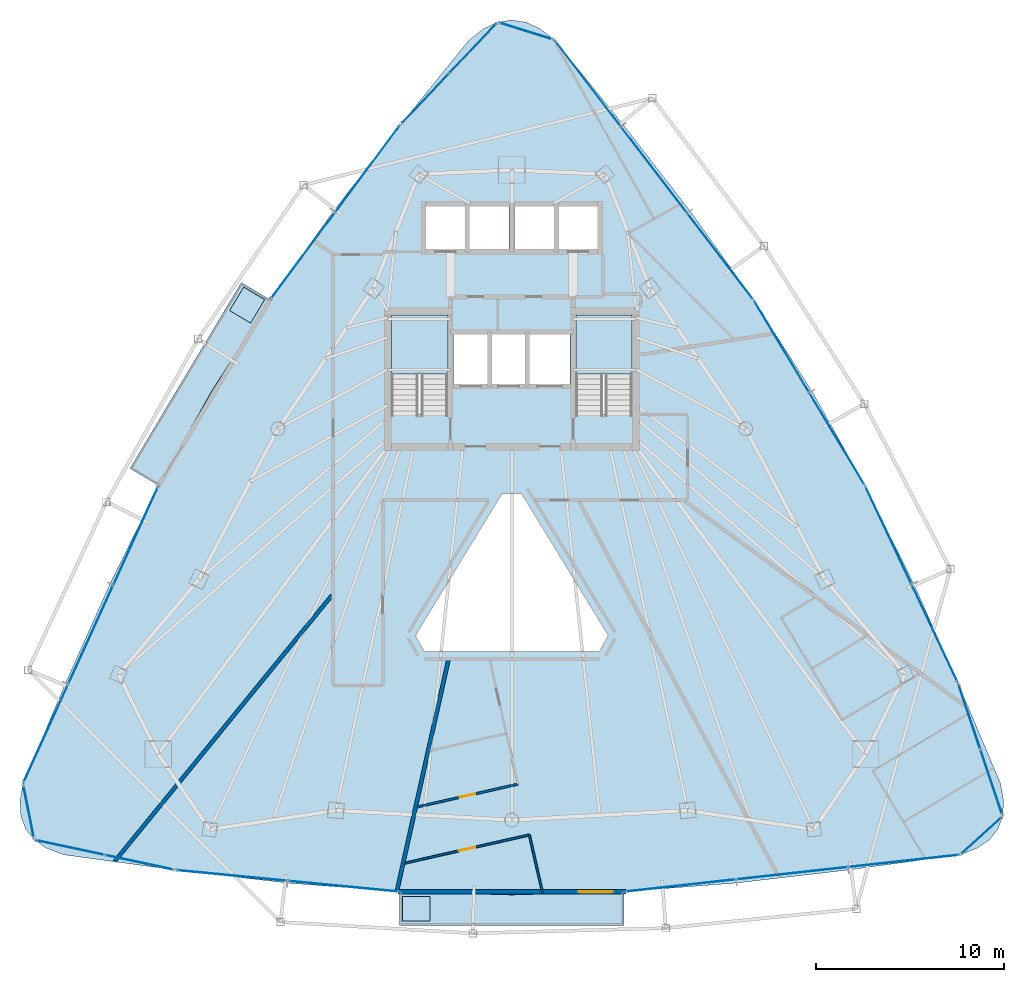
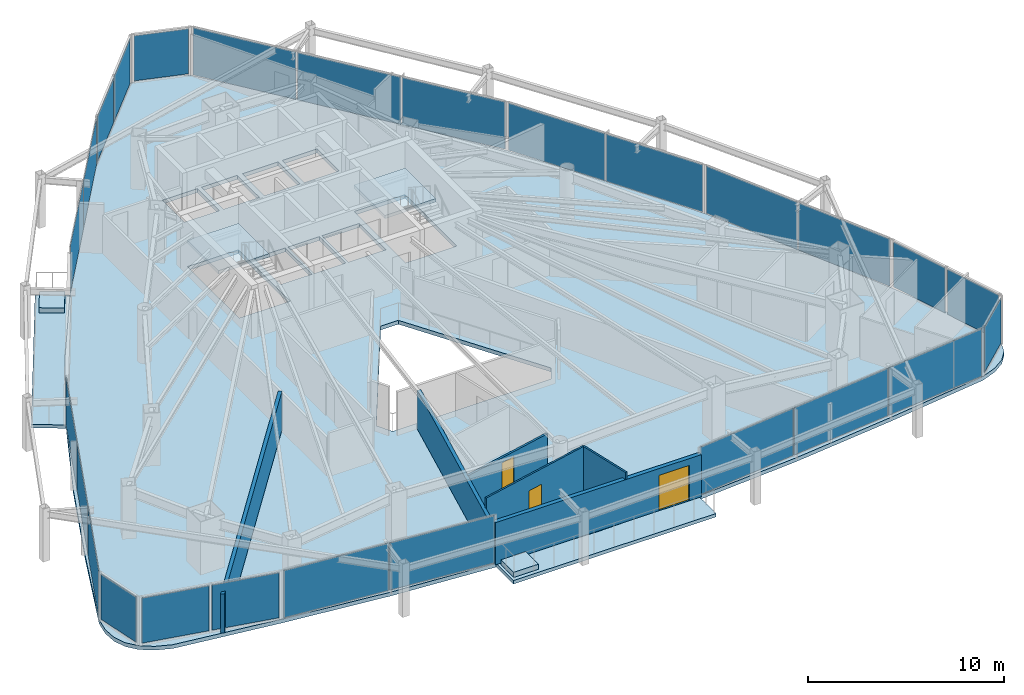
# One storey, part 27 of 33: 26 plates, 7 slabs, 6 walls, 3 doors, 3 openings, 15 elements without a shape of their own.
"""IFC4 building model written with IfcOpenShell, lengths in metres."""

from ifc_helpers import new_model, si_unit, direction, frame, frame_2d, origin, origin_2d, place, context, subcontext, project, spatial, polyline, rectangle, outline, extrude, material, layer, layer_set, type_object, element, fill, aggregate, save


model = new_model("IFC4")

# Units and contexts
model_context = context("Model", 3, precision=1e-05, world=origin(), true_north=direction((0.0, 1.0)))
body_context = subcontext(model_context, "Body", "Model", "MODEL_VIEW")
ifc_project = project(units=[si_unit("LENGTHUNIT", "METRE"), si_unit("AREAUNIT", "SQUARE_METRE"), si_unit("VOLUMEUNIT", "CUBIC_METRE"), si_unit("PLANEANGLEUNIT", "RADIAN"), si_unit("MASSUNIT", "GRAM", prefix="KILO")], contexts=[model_context])

# Site, building, storey
site_placement = place(None, origin())
site = spatial("IfcSite", under=ifc_project, at=site_placement, CompositionType="ELEMENT")
building_placement = place(site_placement, origin())
building = spatial("IfcBuilding", under=site, at=building_placement, Name="Orvanel Arch Residences", CompositionType="ELEMENT")
storey_placement = place(building_placement, frame((0.0, 0.0, 119.89990234375)))
storey = spatial("IfcBuildingStorey", under=building, at=storey_placement, Name="L33", CompositionType="ELEMENT", Elevation=119.89990234375)

# Curtain wall, plates
ifc_material_1 = material(Name="Bronze-anodised aluminium AA6063-T6", Category="aluminium")
ifc_layer_1 = layer(ifc_material_1, 0.179931640625)
ifc_layer_set_1 = layer_set([ifc_layer_1], Name="Bronze-anodised aluminium AA6063-T6")
curtain_wall_type_1 = type_object("IfcCurtainWallType", Name="CW3-MID-SYS", PredefinedType="NOTDEFINED", material=ifc_layer_set_1)
curtain_wall_1_placement = place(storey_placement, origin())
curtain_wall_1 = element("IfcCurtainWall", 1, at=curtain_wall_1_placement, inside=storey, type_object=curtain_wall_type_1, Name="L33 CW3-MID-SYS Unitised Curtain Wall", PredefinedType="NOTDEFINED")
ifc_material_2 = material(Name="Double-glazed solar-control low-E safety glass", Category="glass")
ifc_layer_2 = layer(ifc_material_2, 0.028076171875)
ifc_layer_set_2 = layer_set([ifc_layer_2], Name="Double-glazed solar-control low-E safety glass")
plate_type_1 = type_object("IfcPlateType", Name="PNL-GLZ-28", PredefinedType="CURTAIN_PANEL", material=ifc_layer_set_2)
plate_1_placement = place(storey_placement, frame((25.31982421875, 41.446044921875, 0.06005859375), z_axis=(0.0, 0.0, 1.0), x_axis=(-0.59716769739, -0.802116413742, 0.0)))
plate_1 = element("IfcPlate", 2, at=plate_1_placement, type_object=plate_type_1, Name="CW-S3 panel 1.1", PredefinedType="CURTAIN_PANEL", context=body_context, shape_type="SweptSolid", body=[
    extrude(rectangle(XDim=5.664794921875, YDim=0.028076171875, at=origin_2d()), origin(), (0.0, 0.0, 1.0), 2.93994140625),
])
plate_2_placement = place(storey_placement, frame((21.895263671875, 36.845947265625, 0.06005859375), z_axis=(0.0, 0.0, 1.0), x_axis=(-0.59716769739, -0.802116413742, 0.0)))
plate_2 = element("IfcPlate", 3, at=plate_2_placement, type_object=plate_type_1, Name="CW-S3 panel 2.1", PredefinedType="CURTAIN_PANEL", context=body_context, shape_type="SweptSolid", body=[
    extrude(rectangle(XDim=5.664794921875, YDim=0.028076171875, at=origin_2d()), origin(), (0.0, 0.0, 1.0), 2.93994140625),
])
aggregate(curtain_wall_1, [plate_1, plate_2])

curtain_wall_2_placement = place(storey_placement, origin())
curtain_wall_2 = element("IfcCurtainWall", 4, at=curtain_wall_2_placement, inside=storey, type_object=curtain_wall_type_1, Name="L33 CW3-MID-SYS Unitised Curtain Wall", PredefinedType="NOTDEFINED")
plate_3_placement = place(storey_placement, frame((13.010009765625, 21.955322265625, 0.06005859375), z_axis=(0.0, 0.0, 1.0), x_axis=(-0.414115489097, -0.9102243469, 0.0)))
plate_3 = element("IfcPlate", 5, at=plate_3_placement, type_object=plate_type_1, Name="CW-S3 panel 1.1", PredefinedType="CURTAIN_PANEL", context=body_context, shape_type="SweptSolid", body=[
    extrude(rectangle(XDim=5.679931640625, YDim=0.028076171875, at=origin_2d()), origin(), (0.0, 0.0, 1.0), 2.93994140625),
])
plate_4_placement = place(storey_placement, frame((10.62158203125, 16.70556640625, 0.06005859375), z_axis=(0.0, 0.0, 1.0), x_axis=(-0.414115489097, -0.9102243469, 0.0)))
plate_4 = element("IfcPlate", 6, at=plate_4_placement, type_object=plate_type_1, Name="CW-S3 panel 2.1", PredefinedType="CURTAIN_PANEL", context=body_context, shape_type="SweptSolid", body=[
    extrude(rectangle(XDim=5.715087890625, YDim=0.028076171875, at=origin_2d()), origin(), (0.0, 0.0, 1.0), 2.93994140625),
])
plate_5_placement = place(storey_placement, frame((8.233154296875, 11.455810546875, 0.06005859375), z_axis=(0.0, 0.0, 1.0), x_axis=(-0.414115489097, -0.9102243469, 0.0)))
plate_5 = element("IfcPlate", 7, at=plate_5_placement, type_object=plate_type_1, Name="CW-S3 panel 3.1", PredefinedType="CURTAIN_PANEL", context=body_context, shape_type="SweptSolid", body=[
    extrude(rectangle(XDim=5.679931640625, YDim=0.028076171875, at=origin_2d()), origin(), (0.0, 0.0, 1.0), 2.93994140625),
])
aggregate(curtain_wall_2, [plate_3, plate_4, plate_5])

curtain_wall_3_placement = place(storey_placement, origin())
curtain_wall_3 = element("IfcCurtainWall", 8, at=curtain_wall_3_placement, inside=storey, type_object=curtain_wall_type_1, Name="L33 CW3-MID-SYS Unitised Curtain Wall", PredefinedType="NOTDEFINED")
plate_6_placement = place(storey_placement, frame((18.130615234375, 3.894287109375, 0.06005859375), z_axis=(0.0, 0.0, 1.0), x_axis=(0.995361152197, -0.09620902607, 0.0)))
plate_6 = element("IfcPlate", 9, at=plate_6_placement, type_object=plate_type_1, Name="CW-S3 panel 1.1", PredefinedType="CURTAIN_PANEL", context=body_context, shape_type="SweptSolid", body=[
    extrude(rectangle(XDim=5.861083984375, YDim=0.028076171875, at=origin_2d()), origin(), (0.0, 0.0, 1.0), 2.93994140625),
])
plate_7_placement = place(storey_placement, frame((24.034423828125, 3.32373046875, 0.06005859375), z_axis=(0.0, 0.0, 1.0), x_axis=(0.995361152197, -0.09620902607, 0.0)))
plate_7 = element("IfcPlate", 10, at=plate_7_placement, type_object=plate_type_1, Name="CW-S3 panel 2.1", PredefinedType="CURTAIN_PANEL", context=body_context, shape_type="SweptSolid", body=[
    extrude(rectangle(XDim=5.861083984375, YDim=0.028076171875, at=origin_2d()), origin(), (0.0, 0.0, 1.0), 2.93994140625),
])
aggregate(curtain_wall_3, [plate_6, plate_7])

curtain_wall_4_placement = place(storey_placement, origin())
curtain_wall_4 = element("IfcCurtainWall", 11, at=curtain_wall_4_placement, inside=storey, type_object=curtain_wall_type_1, Name="L33 CW3-MID-SYS Unitised Curtain Wall", PredefinedType="NOTDEFINED")
plate_8_placement = place(storey_placement, frame((41.968994140625, 3.364013671875, 0.06005859375), z_axis=(0.0, 0.0, 1.0), x_axis=(0.99399805501, 0.109397745116, 0.0)))
plate_8 = element("IfcPlate", 12, at=plate_8_placement, type_object=plate_type_1, Name="CW-S3 panel 1.1", PredefinedType="CURTAIN_PANEL", context=body_context, shape_type="SweptSolid", body=[
    extrude(rectangle(XDim=5.876220703125, YDim=0.028076171875, at=origin_2d()), origin(), (0.0, 0.0, 1.0), 2.93994140625),
])
plate_9_placement = place(storey_placement, frame((47.89697265625, 4.0166015625, 0.06005859375), z_axis=(0.0, 0.0, 1.0), x_axis=(0.99399805501, 0.109397745116, 0.0)))
plate_9 = element("IfcPlate", 13, at=plate_9_placement, type_object=plate_type_1, Name="CW-S3 panel 2.1", PredefinedType="CURTAIN_PANEL", context=body_context, shape_type="SweptSolid", body=[
    extrude(rectangle(XDim=5.9111328125, YDim=0.028076171875, at=origin_2d()), origin(), (0.0, 0.0, 1.0), 2.93994140625),
])
plate_10_placement = place(storey_placement, frame((53.824951171875, 4.6689453125, 0.06005859375), z_axis=(0.0, 0.0, 1.0), x_axis=(0.99399805501, 0.109397745116, 0.0)))
plate_10 = element("IfcPlate", 14, at=plate_10_placement, type_object=plate_type_1, Name="CW-S3 panel 3.1", PredefinedType="CURTAIN_PANEL", context=body_context, shape_type="SweptSolid", body=[
    extrude(rectangle(XDim=5.876220703125, YDim=0.028076171875, at=origin_2d()), origin(), (0.0, 0.0, 1.0), 2.93994140625),
])
aggregate(curtain_wall_4, [plate_8, plate_9, plate_10])

curtain_wall_5_placement = place(storey_placement, origin())
curtain_wall_5 = element("IfcCurtainWall", 15, at=curtain_wall_5_placement, inside=storey, type_object=curtain_wall_type_1, Name="L33 CW3-MID-SYS Unitised Curtain Wall", PredefinedType="NOTDEFINED")
plate_11_placement = place(storey_placement, frame((55.468505859375, 16.791259765625, 0.06005859375), z_axis=(0.0, 0.0, 1.0), x_axis=(-0.426364535184, 0.904551426474, 0.0)))
plate_11 = element("IfcPlate", 16, at=plate_11_placement, type_object=plate_type_1, Name="CW-S3 panel 1.1", PredefinedType="CURTAIN_PANEL", context=body_context, shape_type="SweptSolid", body=[
    extrude(rectangle(XDim=5.664794921875, YDim=0.028076171875, at=origin_2d()), origin(), (0.0, 0.0, 1.0), 2.93994140625),
])
plate_12_placement = place(storey_placement, frame((53.0234375, 21.978759765625, 0.06005859375), z_axis=(0.0, 0.0, 1.0), x_axis=(-0.426364535184, 0.904551426474, 0.0)))
plate_12 = element("IfcPlate", 17, at=plate_12_placement, type_object=plate_type_1, Name="CW-S3 panel 2.1", PredefinedType="CURTAIN_PANEL", context=body_context, shape_type="SweptSolid", body=[
    extrude(rectangle(XDim=5.664794921875, YDim=0.028076171875, at=origin_2d()), origin(), (0.0, 0.0, 1.0), 2.93994140625),
])
aggregate(curtain_wall_5, [plate_11, plate_12])

curtain_wall_6_placement = place(storey_placement, origin())
curtain_wall_6 = element("IfcCurtainWall", 18, at=curtain_wall_6_placement, inside=storey, type_object=curtain_wall_type_1, Name="L33 CW3-MID-SYS Unitised Curtain Wall", PredefinedType="NOTDEFINED")
plate_13_placement = place(storey_placement, frame((50.28125, 27.115478515625, 0.06005859375), z_axis=(0.0, 0.0, 1.0), x_axis=(-0.514457331608, 0.857515978834, 0.0)))
plate_13 = element("IfcPlate", 19, at=plate_13_placement, type_object=plate_type_1, Name="CW-S3 panel 1.1", PredefinedType="CURTAIN_PANEL", context=body_context, shape_type="SweptSolid", body=[
    extrude(rectangle(XDim=5.635986328125, YDim=0.028076171875, at=origin_2d()), origin(), (0.0, 0.0, 1.0), 2.93994140625),
])
plate_14_placement = place(storey_placement, frame((47.345703125, 32.008544921875, 0.06005859375), z_axis=(0.0, 0.0, 1.0), x_axis=(-0.514457331608, 0.857515978834, 0.0)))
plate_14 = element("IfcPlate", 20, at=plate_14_placement, type_object=plate_type_1, Name="CW-S3 panel 2.1", PredefinedType="CURTAIN_PANEL", context=body_context, shape_type="SweptSolid", body=[
    extrude(rectangle(XDim=5.635986328125, YDim=0.028076171875, at=origin_2d()), origin(), (0.0, 0.0, 1.0), 2.93994140625),
])
aggregate(curtain_wall_6, [plate_13, plate_14])

curtain_wall_7_placement = place(storey_placement, origin())
curtain_wall_7 = element("IfcCurtainWall", 21, at=curtain_wall_7_placement, inside=storey, type_object=curtain_wall_type_1, Name="L33 CW3-MID-SYS Unitised Curtain Wall", PredefinedType="NOTDEFINED")
plate_15_placement = place(storey_placement, frame((44.068603515625, 36.828125, 0.06005859375), z_axis=(0.0, 0.0, 1.0), x_axis=(-0.608091558713, 0.793866900823, 0.0)))
plate_15 = element("IfcPlate", 22, at=plate_15_placement, type_object=plate_type_1, Name="CW-S3 panel 1.1", PredefinedType="CURTAIN_PANEL", context=body_context, shape_type="SweptSolid", body=[
    extrude(rectangle(XDim=5.6796875, YDim=0.028076171875, at=origin_2d()), origin(), (0.0, 0.0, 1.0), 2.93994140625),
])
plate_16_placement = place(storey_placement, frame((40.5615234375, 41.406494140625, 0.06005859375), z_axis=(0.0, 0.0, 1.0), x_axis=(-0.608091558713, 0.793866900823, 0.0)))
plate_16 = element("IfcPlate", 23, at=plate_16_placement, type_object=plate_type_1, Name="CW-S3 panel 2.1", PredefinedType="CURTAIN_PANEL", context=body_context, shape_type="SweptSolid", body=[
    extrude(rectangle(XDim=5.71484375, YDim=0.028076171875, at=origin_2d()), origin(), (0.0, 0.0, 1.0), 2.93994140625),
])
plate_17_placement = place(storey_placement, frame((37.054443359375, 45.98486328125, 0.06005859375), z_axis=(0.0, 0.0, 1.0), x_axis=(-0.608091558713, 0.793866900823, 0.0)))
plate_17 = element("IfcPlate", 24, at=plate_17_placement, type_object=plate_type_1, Name="CW-S3 panel 3.1", PredefinedType="CURTAIN_PANEL", context=body_context, shape_type="SweptSolid", body=[
    extrude(rectangle(XDim=5.6796875, YDim=0.028076171875, at=origin_2d()), origin(), (0.0, 0.0, 1.0), 2.93994140625),
])
aggregate(curtain_wall_7, [plate_15, plate_16, plate_17])

# Curtain wall, plate
ifc_layer_3 = layer(ifc_material_1, 0.18994140625)
ifc_layer_set_3 = layer_set([ifc_layer_3], Name="Bronze-anodised aluminium AA6063-T6")
curtain_wall_type_2 = type_object("IfcCurtainWallType", Name="CW5-CRN-SYS", PredefinedType="NOTDEFINED", material=ifc_layer_set_3)
curtain_wall_8_placement = place(storey_placement, origin())
curtain_wall_8 = element("IfcCurtainWall", 25, at=curtain_wall_8_placement, inside=storey, type_object=curtain_wall_type_2, Name="L33 CW5-CRN-SYS Unitised Curtain Wall", PredefinedType="NOTDEFINED")
ifc_layer_4 = layer(ifc_material_2, 0.031982421875)
ifc_layer_set_4 = layer_set([ifc_layer_4], Name="Double-glazed solar-control low-E safety glass")
plate_type_2 = type_object("IfcPlateType", Name="PNL-GLZ-32", PredefinedType="CURTAIN_PANEL", material=ifc_layer_set_4)
plate_18_placement = place(storey_placement, frame((33.757568359375, 48.782470703125, 0.1298828125), z_axis=(0.0, 0.0, 1.0), x_axis=(-0.954870852433, 0.297021304243, 0.0)))
plate_18 = element("IfcPlate", 26, at=plate_18_placement, type_object=plate_type_2, Name="CW-S5 panel 1.1", PredefinedType="CURTAIN_PANEL", context=body_context, shape_type="SweptSolid", body=[
    extrude(rectangle(XDim=2.83447265625, YDim=0.031982421875, at=origin_2d()), origin(), (0.0, 0.0, 1.0), 2.800048828125),
])
aggregate(curtain_wall_8, [plate_18])

# Curtain wall, plates
curtain_wall_9_placement = place(storey_placement, origin())
curtain_wall_9 = element("IfcCurtainWall", 27, at=curtain_wall_9_placement, inside=storey, type_object=curtain_wall_type_2, Name="L33 CW5-CRN-SYS Unitised Curtain Wall", PredefinedType="NOTDEFINED")
plate_19_placement = place(storey_placement, frame((30.9150390625, 47.853271484375, 0.1298828125), z_axis=(0.0, 0.0, 1.0), x_axis=(-0.687815043505, -0.725885986866, 0.0)))
plate_19 = element("IfcPlate", 28, at=plate_19_placement, type_object=plate_type_2, Name="CW-S5 panel 1.1", PredefinedType="CURTAIN_PANEL", context=body_context, shape_type="SweptSolid", body=[
    extrude(rectangle(XDim=3.51806640625, YDim=0.031982421875, at=origin_2d()), origin(), (0.0, 0.0, 1.0), 2.800048828125),
])
plate_20_placement = place(storey_placement, frame((28.39208984375, 45.190673828125, 0.1298828125), z_axis=(0.0, 0.0, 1.0), x_axis=(-0.687815043505, -0.725885986866, 0.0)))
plate_20 = element("IfcPlate", 29, at=plate_20_placement, type_object=plate_type_2, Name="CW-S5 panel 2.1", PredefinedType="CURTAIN_PANEL", context=body_context, shape_type="SweptSolid", body=[
    extrude(rectangle(XDim=3.51806640625, YDim=0.031982421875, at=origin_2d()), origin(), (0.0, 0.0, 1.0), 2.800048828125),
])
aggregate(curtain_wall_9, [plate_19, plate_20])

# Curtain wall, plate
curtain_wall_10_placement = place(storey_placement, origin())
curtain_wall_10 = element("IfcCurtainWall", 30, at=curtain_wall_10_placement, inside=storey, type_object=curtain_wall_type_2, Name="L33 CW5-CRN-SYS Unitised Curtain Wall", PredefinedType="NOTDEFINED")
plate_21_placement = place(storey_placement, frame((7.318603515625, 7.2900390625, 0.1298828125), z_axis=(0.0, 0.0, 1.0), x_axis=(0.195287172151, -0.98074610394, 0.0)))
plate_21 = element("IfcPlate", 31, at=plate_21_placement, type_object=plate_type_2, Name="CW-S5 panel 1.1", PredefinedType="CURTAIN_PANEL", context=body_context, shape_type="SweptSolid", body=[
    extrude(rectangle(XDim=2.716064453125, YDim=0.031982421875, at=origin_2d()), origin(), (0.0, 0.0, 1.0), 2.800048828125),
])
aggregate(curtain_wall_10, [plate_21])

# Curtain wall, plates
curtain_wall_11_placement = place(storey_placement, origin())
curtain_wall_11 = element("IfcCurtainWall", 32, at=curtain_wall_11_placement, inside=storey, type_object=curtain_wall_type_2, Name="L33 CW5-CRN-SYS Unitised Curtain Wall", PredefinedType="NOTDEFINED")
plate_22_placement = place(storey_placement, frame((9.54052734375, 5.379638671875, 0.1298828125), z_axis=(0.0, 0.0, 1.0), x_axis=(0.977857956669, -0.20926972208, 0.0)))
plate_22 = element("IfcPlate", 33, at=plate_22_placement, type_object=plate_type_2, Name="CW-S5 panel 1.1", PredefinedType="CURTAIN_PANEL", context=body_context, shape_type="SweptSolid", body=[
    extrude(rectangle(XDim=3.593017578125, YDim=0.031982421875, at=origin_2d()), origin(), (0.0, 0.0, 1.0), 2.800048828125),
])
plate_23_placement = place(storey_placement, frame((13.20068359375, 4.596435546875, 0.1298828125), z_axis=(0.0, 0.0, 1.0), x_axis=(0.977857956669, -0.20926972208, 0.0)))
plate_23 = element("IfcPlate", 34, at=plate_23_placement, type_object=plate_type_2, Name="CW-S5 panel 2.1", PredefinedType="CURTAIN_PANEL", context=body_context, shape_type="SweptSolid", body=[
    extrude(rectangle(XDim=3.593017578125, YDim=0.031982421875, at=origin_2d()), origin(), (0.0, 0.0, 1.0), 2.800048828125),
])
aggregate(curtain_wall_11, [plate_22, plate_23])

# Curtain wall, plate
curtain_wall_12_placement = place(storey_placement, origin())
curtain_wall_12 = element("IfcCurtainWall", 35, at=curtain_wall_12_placement, inside=storey, type_object=curtain_wall_type_2, Name="L33 CW5-CRN-SYS Unitised Curtain Wall", PredefinedType="NOTDEFINED")
plate_24_placement = place(storey_placement, frame((57.966064453125, 6.027099609375, 0.1298828125), z_axis=(0.0, 0.0, 1.0), x_axis=(0.740120098488, 0.672474713141, 0.0)))
plate_24 = element("IfcPlate", 36, at=plate_24_placement, type_object=plate_type_2, Name="CW-S5 panel 1.1", PredefinedType="CURTAIN_PANEL", context=body_context, shape_type="SweptSolid", body=[
    extrude(rectangle(XDim=2.7158203125, YDim=0.031982421875, at=origin_2d()), origin(), (0.0, 0.0, 1.0), 2.800048828125),
])
aggregate(curtain_wall_12, [plate_24])

# Curtain wall, plates
curtain_wall_13_placement = place(storey_placement, origin())
curtain_wall_13 = element("IfcCurtainWall", 37, at=curtain_wall_13_placement, inside=storey, type_object=curtain_wall_type_2, Name="L33 CW5-CRN-SYS Unitised Curtain Wall", PredefinedType="NOTDEFINED")
plate_25_placement = place(storey_placement, frame((58.486572265625, 8.87255859375, 0.1298828125), z_axis=(0.0, 0.0, 1.0), x_axis=(-0.318403361888, 0.947955325497, 0.0)))
plate_25 = element("IfcPlate", 38, at=plate_25_placement, type_object=plate_type_2, Name="CW-S5 panel 1.1", PredefinedType="CURTAIN_PANEL", context=body_context, shape_type="SweptSolid", body=[
    extrude(rectangle(XDim=3.49658203125, YDim=0.031982421875, at=origin_2d()), origin(), (0.0, 0.0, 1.0), 2.800048828125),
])
plate_26_placement = place(storey_placement, frame((57.325439453125, 12.329345703125, 0.1298828125), z_axis=(0.0, 0.0, 1.0), x_axis=(-0.318403361888, 0.947955325497, 0.0)))
plate_26 = element("IfcPlate", 39, at=plate_26_placement, type_object=plate_type_2, Name="CW-S5 panel 2.1", PredefinedType="CURTAIN_PANEL", context=body_context, shape_type="SweptSolid", body=[
    extrude(rectangle(XDim=3.49658203125, YDim=0.031982421875, at=origin_2d()), origin(), (0.0, 0.0, 1.0), 2.800048828125),
])
aggregate(curtain_wall_13, [plate_25, plate_26])

# Slabs
ifc_material_3 = material(Name="Concrete N40 (40 MPa)", Category="concrete")
ifc_layer_5 = layer(ifc_material_3, 0.215087890625)
ifc_layer_set_5 = layer_set([ifc_layer_5], Name="Concrete N40 (40 MPa)")
slab_type_1 = type_object("IfcSlabType", Name="SLB-BAL-215", PredefinedType="FLOOR", material=ifc_layer_set_5)
slab_1_placement = place(storey_placement, frame((0.0, 0.0, -0.21484375)))
element("IfcSlab", 40, at=slab_1_placement, inside=storey, type_object=slab_type_1, Name="L33 Cantilevered Balcony Slab Face 1", PredefinedType="FLOOR", context=body_context, shape_type="SweptSolid", body=[
    extrude(outline(polyline([(18.6240234375, 35.41796875), (12.697021484375, 25.537109375), (14.222900390625, 24.6220703125), (17.047119140625, 29.64501953125), (20.14990234375, 34.501953125), (18.6240234375, 35.41796875)])), origin(), (0.0, 0.0, 1.0), 0.21484375),
])
slab_2_placement = place(storey_placement, frame((0.0, 0.0, -0.21484375)))
element("IfcSlab", 41, at=slab_2_placement, inside=storey, type_object=slab_type_1, Name="L33 Cantilevered Balcony Slab Face 2", PredefinedType="FLOOR", context=body_context, shape_type="SweptSolid", body=[
    extrude(outline(polyline([(27.041015625, 1.2529296875), (38.958984375, 1.2529296875), (38.958984375, 3.032958984375), (33.0, 2.8701171875), (27.041015625, 3.032958984375), (27.041015625, 1.2529296875)])), origin(), (0.0, 0.0, 1.0), 0.21484375),
])

# Stair, slab
ifc_material_4 = material(Name="Precast concrete N50 (50 MPa)", Category="concrete")
stair_type = type_object("IfcStairType", Name="STR-DOG-184", PredefinedType="USERDEFINED", material=ifc_material_4)
stair_1_placement = place(storey_placement, origin())
stair_1 = element("IfcStair", 42, at=stair_1_placement, inside=storey, type_object=stair_type, Name="L33 Fire-Isolated Core Exit Stair 1", ObjectType="TWO_RETURN_STAIR", PredefinedType="USERDEFINED")
ifc_layer_6 = layer(ifc_material_3, 0.199951171875)
ifc_layer_set_6 = layer_set([ifc_layer_6], Name="Concrete N40 (40 MPa)")
slab_type_2 = type_object("IfcSlabType", Name="SLB-LND-200", PredefinedType="LANDING", material=ifc_layer_set_6)
slab_3_placement = place(storey_placement, frame((0.0, 0.0, 1.4501953125)))
slab_3 = element("IfcSlab", 43, at=slab_3_placement, type_object=slab_type_2, Name="ST-1 landing 1", PredefinedType="LANDING", context=body_context, shape_type="SweptSolid", body=[
    extrude(outline(polyline([(29.60009765625, 30.56005859375), (29.60009765625, 33.699951171875), (26.60009765625, 33.699951171875), (26.60009765625, 30.56005859375), (29.60009765625, 30.56005859375)])), origin(), (0.0, 0.0, 1.0), 0.199951171875),
])
aggregate(stair_1, [slab_3])

stair_2_placement = place(storey_placement, origin())
stair_2 = element("IfcStair", 44, at=stair_2_placement, inside=storey, type_object=stair_type, Name="L33 Fire-Isolated Core Exit Stair 2", ObjectType="TWO_RETURN_STAIR", PredefinedType="USERDEFINED")
slab_4_placement = place(storey_placement, frame((0.0, 0.0, 1.4501953125)))
slab_4 = element("IfcSlab", 45, at=slab_4_placement, type_object=slab_type_2, Name="ST-2 landing 1", PredefinedType="LANDING", context=body_context, shape_type="SweptSolid", body=[
    extrude(outline(polyline([(39.39990234375, 30.56005859375), (39.39990234375, 33.699951171875), (36.39990234375, 33.699951171875), (36.39990234375, 30.56005859375), (39.39990234375, 30.56005859375)])), origin(), (0.0, 0.0, 1.0), 0.199951171875),
])
aggregate(stair_2, [slab_4])

# Slabs
ifc_material_5 = material(Name="Structural architectural precast concrete N40 (40 MPa) planter", Category="concrete")
ifc_layer_7 = layer(ifc_material_5, 0.320068359375)
ifc_layer_set_7 = layer_set([ifc_layer_7], Name="Structural architectural precast concrete N40 (40 MPa) planter")
slab_type_3 = type_object("IfcSlabType", Name="SLB-PLN-320", PredefinedType="USERDEFINED", material=ifc_layer_set_7)
slab_5_placement = place(storey_placement, origin())
element("IfcSlab", 46, at=slab_5_placement, inside=storey, type_object=slab_type_3, Name="L33 Balcony TREE PLANTER Face 1", ObjectType="PLANTER", PredefinedType="USERDEFINED", context=body_context, shape_type="SweptSolid", body=[
    extrude(outline(polyline([(18.743896484375, 35.1708984375), (17.998046875, 33.927978515625), (19.113037109375, 33.259033203125), (19.85791015625, 34.501953125), (18.743896484375, 35.1708984375)])), origin(), (0.0, 0.0, 1.0), 0.320068359375),
])
slab_6_placement = place(storey_placement, origin())
element("IfcSlab", 47, at=slab_6_placement, inside=storey, type_object=slab_type_3, Name="L33 Balcony TREE PLANTER Face 2", ObjectType="PLANTER", PredefinedType="USERDEFINED", context=body_context, shape_type="SweptSolid", body=[
    extrude(outline(polyline([(27.19091796875, 1.48291015625), (28.64111328125, 1.48291015625), (28.64111328125, 2.782958984375), (27.19091796875, 2.782958984375), (27.19091796875, 1.48291015625)])), origin(), (0.0, 0.0, 1.0), 0.320068359375),
])
ifc_layer_8 = layer(ifc_material_3, 0.239990234375)
ifc_layer_set_8 = layer_set([ifc_layer_8], Name="Concrete N40 (40 MPa)")
slab_type_4 = type_object("IfcSlabType", Name="SLB-TYP-240", PredefinedType="FLOOR", material=ifc_layer_set_8)
slab_7_placement = place(storey_placement, frame((0.0, 0.0, -0.239990234375)))
element("IfcSlab", 48, at=slab_7_placement, inside=storey, type_object=slab_type_4, Name="L33 Tower Floor Slab", PredefinedType="FLOOR", context=body_context, shape_type="SweptSolid", body=[
    extrude(outline(polyline([(35.27294921875, 48.31103515625), (34.514892578125, 48.90087890625), (33.758056640625, 49.25390625), (33.0, 49.3720703125), (32.241943359375, 49.25390625), (31.485107421875, 48.90087890625), (30.72705078125, 48.31103515625), (27.06494140625, 43.7900390625), (23.509033203125, 39.205078125), (20.14990234375, 34.501953125), (17.047119140625, 29.64501953125), (14.222900390625, 24.6220703125), (11.655029296875, 19.444091796875), (9.283935546875, 14.14794921875), (7.02001953125, 8.7890625), (6.85693359375, 7.862060546875), (6.902099609375, 7.053955078125), (7.156005859375, 6.364013671875), (7.616943359375, 5.791015625), (8.287109375, 5.3369140625), (9.1650390625, 5.0), (15.1240234375, 4.18505859375), (21.0830078125, 3.493896484375), (27.041015625, 3.032958984375), (33.0, 2.8701171875), (38.958984375, 3.032958984375), (44.9169921875, 3.493896484375), (50.8759765625, 4.18505859375), (56.8349609375, 5.0), (57.712890625, 5.3369140625), (58.383056640625, 5.791015625), (58.843994140625, 6.364013671875), (59.096923828125, 7.053955078125), (59.14306640625, 7.862060546875), (58.97998046875, 8.7890625), (56.715087890625, 14.14794921875), (54.343994140625, 19.444091796875), (51.777099609375, 24.6220703125), (48.952880859375, 29.64501953125), (45.85009765625, 34.501953125), (42.490966796875, 39.205078125), (38.93505859375, 43.7900390625), (35.27294921875, 48.31103515625)]), holes=[polyline([(26.60009765625, 28.429931640625), (26.60009765625, 33.699951171875), (29.60009765625, 33.699951171875), (29.60009765625, 28.429931640625), (26.60009765625, 28.429931640625)]), polyline([(36.39990234375, 28.429931640625), (36.39990234375, 33.699951171875), (39.39990234375, 33.699951171875), (39.39990234375, 28.429931640625), (36.39990234375, 28.429931640625)]), polyline([(29.89990234375, 32.64990234375), (31.75, 32.64990234375), (31.75, 29.949951171875), (29.89990234375, 29.949951171875), (29.89990234375, 32.64990234375)]), polyline([(31.89990234375, 32.64990234375), (33.75, 32.64990234375), (33.75, 29.949951171875), (31.89990234375, 29.949951171875), (31.89990234375, 32.64990234375)]), polyline([(33.89990234375, 32.64990234375), (36.10009765625, 32.64990234375), (36.10009765625, 29.949951171875), (33.89990234375, 29.949951171875), (33.89990234375, 32.64990234375)]), polyline([(28.449951171875, 39.449951171875), (30.5, 39.449951171875), (30.5, 37.199951171875), (28.449951171875, 37.199951171875), (28.449951171875, 39.449951171875)]), polyline([(35.5, 39.449951171875), (37.550048828125, 39.449951171875), (37.550048828125, 37.199951171875), (35.5, 37.199951171875), (35.5, 39.449951171875)]), polyline([(30.75, 39.449951171875), (32.85009765625, 39.449951171875), (32.85009765625, 37.199951171875), (30.75, 37.199951171875), (30.75, 39.449951171875)]), polyline([(33.14990234375, 39.449951171875), (35.25, 39.449951171875), (35.25, 37.199951171875), (33.14990234375, 37.199951171875), (33.14990234375, 39.449951171875)]), polyline([(38.131103515625, 16.656982421875), (37.654052734375, 15.805908203125), (28.345947265625, 15.805908203125), (27.868896484375, 16.656982421875), (32.47998046875, 24.198974609375), (33.52001953125, 24.198974609375), (38.131103515625, 16.656982421875)])]), origin(), (0.0, 0.0, 1.0), 0.239990234375),
])

# Wall, opening, door
ifc_layer_9 = layer(ifc_material_4, 0.239990234375)
ifc_layer_set_9 = layer_set([ifc_layer_9], Name="Precast concrete N50 (50 MPa)")
wall_type_1 = type_object("IfcWallType", Name="EW-BAL-240", PredefinedType="SOLIDWALL", material=ifc_layer_set_9)
wall_1_placement = place(storey_placement, frame((26.943115234375, 3.032958984375, 0.0), z_axis=(0.0, 0.0, 1.0), x_axis=(1.0, 0.0, 0.0)))
wall_1 = element("IfcWall", 49, at=wall_1_placement, inside=storey, type_object=wall_type_1, Name="L33 Balcony Threshold Wall Face 2", PredefinedType="SOLIDWALL", context=body_context, shape_type="SweptSolid", body=[
    extrude(rectangle(XDim=12.11376953125, YDim=0.239990234375, at=frame_2d((6.056884765625, 0.0))), origin(), (0.0, 0.0, 1.0), 2.6240234375),
])
opening_1_placement = place(wall_1_placement, frame((9.614990234375, 0.0, 0.0)))
opening_1 = element("IfcOpeningElement", 50, at=opening_1_placement, cuts=wall_1, Name="Opening DB-180", PredefinedType="OPENING", context=body_context, shape_type="SweptSolid", body=[
    extrude(rectangle(XDim=1.800048828125, YDim=2.199951171875, at=frame_2d((0.89990234375, 1.10009765625))), frame((0.0, 0.1298828125, 0.0), z_axis=(0.0, -1.0, 0.0), x_axis=(1.0, 0.0, 0.0)), (0.0, 0.0, 1.0), 0.260009765625),
])
door_type_1 = type_object("IfcDoorType", Name="DR-BAL-1800", OperationType="NOTDEFINED", PredefinedType="DOOR", material=ifc_material_1)
door_1_placement = place(opening_1_placement, origin())
door_1 = element("IfcDoor", 51, at=door_1_placement, inside=storey, type_object=door_type_1, Name="DR-L33-BAL-F2 L33 Planted Balcony Access Door Face 2", OperationType="SINGLE_SWING_LEFT", OverallHeight=2.199951171875, OverallWidth=1.800048828125, PredefinedType="DOOR", context=body_context, shape_type="SweptSolid", body=[
    extrude(rectangle(XDim=1.800048828125, YDim=2.199951171875, at=frame_2d((0.89990234375, 1.10009765625))), frame((0.0, 0.02490234375, 0.0), z_axis=(0.0, -1.0, 0.0), x_axis=(1.0, 0.0, 0.0)), (0.0, 0.0, 1.0), 0.050048828125),
])
fill(opening_1, door_1)

# Walls
ifc_material_6 = material(Name="Fire-rated plasterboard lined steel stud partition", Category="steel")
ifc_layer_10 = layer(ifc_material_6, 0.199951171875)
ifc_layer_set_10 = layer_set([ifc_layer_10], Name="Fire-rated plasterboard lined steel stud partition")
wall_type_2 = type_object("IfcWallType", Name="W-DEM-200", PredefinedType="PARTITIONING", material=ifc_layer_set_10)
wall_2_placement = place(storey_placement, frame((23.43994140625, 18.7939453125, 0.0), z_axis=(0.0, 0.0, 1.0), x_axis=(-0.632525219644, -0.774539764321, 0.0)))
element("IfcWall", 52, at=wall_2_placement, inside=storey, type_object=wall_type_2, Name="L33 Inter-Tenancy Acoustic Demising Wall", PredefinedType="PARTITIONING", context=body_context, shape_type="SweptSolid", body=[
    extrude(rectangle(XDim=18.2724609375, YDim=0.199951171875, at=frame_2d((9.13623046875, 0.0))), origin(), (0.0, 0.0, 1.0), 2.4130859375),
])
wall_3_placement = place(storey_placement, frame((26.89208984375, 3.05908203125, 0.0), z_axis=(0.0, 0.0, 1.0), x_axis=(0.217267240277, 0.97611215867, 0.0)))
element("IfcWall", 53, at=wall_3_placement, inside=storey, type_object=wall_type_2, Name="L33 Inter-Tenancy Acoustic Demising Wall", PredefinedType="PARTITIONING", context=body_context, shape_type="SweptSolid", body=[
    extrude(rectangle(XDim=12.587646484375, YDim=0.199951171875, at=frame_2d((6.2939453125, 0.0))), origin(), (0.0, 0.0, 1.0), 2.4130859375),
])
ifc_material_7 = material(Name="Acoustic plasterboard lined twin-stud partition", Category="gypsum")
ifc_layer_11 = layer(ifc_material_7, 0.10009765625)
ifc_layer_set_11 = layer_set([ifc_layer_11], Name="Acoustic plasterboard lined twin-stud partition")
wall_type_3 = type_object("IfcWallType", Name="W-INT-100", PredefinedType="PARTITIONING", material=ifc_layer_set_11)
wall_4_placement = place(storey_placement, frame((34.64404296875, 2.929931640625, 0.0), z_axis=(0.0, 0.0, 1.0), x_axis=(-0.22131804383, 0.975201683487, 0.0)))
element("IfcWall", 54, at=wall_4_placement, inside=storey, type_object=wall_type_3, Name="L33 Studio C Internal Partition", PredefinedType="PARTITIONING", context=body_context, shape_type="SweptSolid", body=[
    extrude(rectangle(XDim=3.203369140625, YDim=0.10009765625, at=frame_2d((1.6015625, 0.0))), origin(), (0.0, 0.0, 1.0), 3.06005859375),
])

# Wall, opening, door
wall_5_placement = place(storey_placement, frame((33.93505859375, 6.053955078125, 0.0), z_axis=(0.0, 0.0, 1.0), x_axis=(-0.975244308244, -0.221130140952, 0.0)))
wall_5 = element("IfcWall", 55, at=wall_5_placement, inside=storey, type_object=wall_type_3, Name="L33 Studio C Internal Partition", PredefinedType="PARTITIONING", context=body_context, shape_type="SweptSolid", body=[
    extrude(rectangle(XDim=6.792236328125, YDim=0.10009765625, at=frame_2d((3.39599609375, 0.0))), origin(), (0.0, 0.0, 1.0), 3.06005859375),
])
opening_2_placement = place(wall_5_placement, frame((2.9560546875, 0.0, 0.0)))
opening_2 = element("IfcOpeningElement", 56, at=opening_2_placement, cuts=wall_5, Name="Opening DI-088", PredefinedType="OPENING", context=body_context, shape_type="SweptSolid", body=[
    extrude(rectangle(XDim=0.8798828125, YDim=2.10009765625, at=frame_2d((0.43994140625, 1.050048828125))), frame((0.0, 0.06005859375, 0.0), z_axis=(0.0, -1.0, 0.0), x_axis=(1.0, 0.0, 0.0)), (0.0, 0.0, 1.0), 0.1201171875),
])
ifc_material_8 = material(Name="Solid-core European oak veneer fire door leaf", Category="wood")
door_type_2 = type_object("IfcDoorType", Name="DR-INT-880", OperationType="NOTDEFINED", PredefinedType="DOOR", material=ifc_material_8)
door_2_placement = place(opening_2_placement, origin())
door_2 = element("IfcDoor", 57, at=door_2_placement, inside=storey, type_object=door_type_2, Name="DR-L33-C-OFC1 L33 Studio C Home Work Office 2 Door", OperationType="SINGLE_SWING_LEFT", OverallHeight=2.10009765625, OverallWidth=0.8798828125, PredefinedType="DOOR", context=body_context, shape_type="SweptSolid", body=[
    extrude(rectangle(XDim=0.8798828125, YDim=2.10009765625, at=frame_2d((0.43994140625, 1.050048828125))), frame((0.0, 0.02490234375, 0.0), z_axis=(0.0, -1.0, 0.0), x_axis=(1.0, 0.0, 0.0)), (0.0, 0.0, 1.0), 0.050048828125),
])
fill(opening_2, door_2)

ifc_layer_12 = layer(ifc_material_7, 0.1201171875)
ifc_layer_set_12 = layer_set([ifc_layer_12], Name="Acoustic plasterboard lined twin-stud partition")
wall_type_4 = type_object("IfcWallType", Name="W-WET-120", PredefinedType="PARTITIONING", material=ifc_layer_set_12)
wall_6_placement = place(storey_placement, frame((27.97607421875, 7.5400390625, 0.0), z_axis=(0.0, 0.0, 1.0), x_axis=(0.975262605336, 0.221049430295, 0.0)))
wall_6 = element("IfcWall", 58, at=wall_6_placement, inside=storey, type_object=wall_type_4, Name="L33 Studio C Bathroom Partition", PredefinedType="PARTITIONING", context=body_context, shape_type="SweptSolid", body=[
    extrude(rectangle(XDim=5.482666015625, YDim=0.1201171875, at=frame_2d((2.7412109375, 0.0))), origin(), (0.0, 0.0, 1.0), 2.4130859375),
])
opening_3_placement = place(wall_6_placement, frame((2.3310546875, 0.0, 0.0)))
opening_3 = element("IfcOpeningElement", 59, at=opening_3_placement, cuts=wall_6, Name="Opening DW-082", PredefinedType="OPENING", context=body_context, shape_type="SweptSolid", body=[
    extrude(rectangle(XDim=0.820068359375, YDim=2.10009765625, at=frame_2d((0.41015625, 1.050048828125))), frame((0.0, 0.070068359375, 0.0), z_axis=(0.0, -1.0, 0.0), x_axis=(1.0, 0.0, 0.0)), (0.0, 0.0, 1.0), 0.14013671875),
])
door_type_3 = type_object("IfcDoorType", Name="DR-WET-820", OperationType="NOTDEFINED", PredefinedType="DOOR", material=ifc_material_8)
door_3_placement = place(opening_3_placement, origin())
door_3 = element("IfcDoor", 60, at=door_3_placement, inside=storey, type_object=door_type_3, Name="DR-L33-C-BATH L33 Studio C Bathroom Door", OperationType="SINGLE_SWING_RIGHT", OverallHeight=2.10009765625, OverallWidth=0.820068359375, PredefinedType="DOOR", context=body_context, shape_type="SweptSolid", body=[
    extrude(rectangle(XDim=0.820068359375, YDim=2.10009765625, at=frame_2d((0.41015625, 1.050048828125))), frame((0.0, 0.02490234375, 0.0), z_axis=(0.0, -1.0, 0.0), x_axis=(1.0, 0.0, 0.0)), (0.0, 0.0, 1.0), 0.050048828125),
])
fill(opening_3, door_3)

save(model, "model.ifc")
